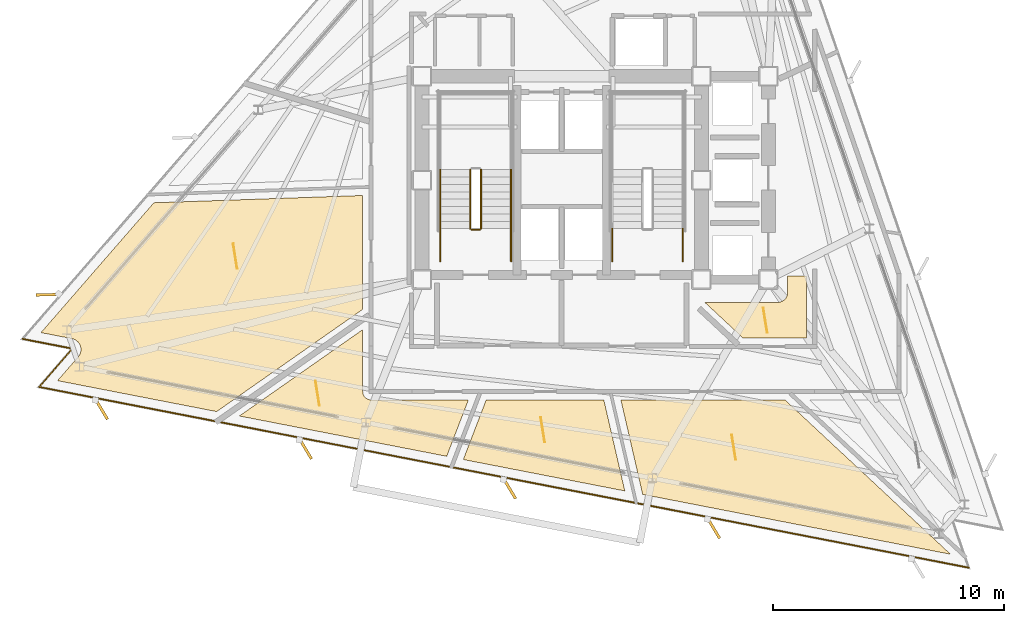
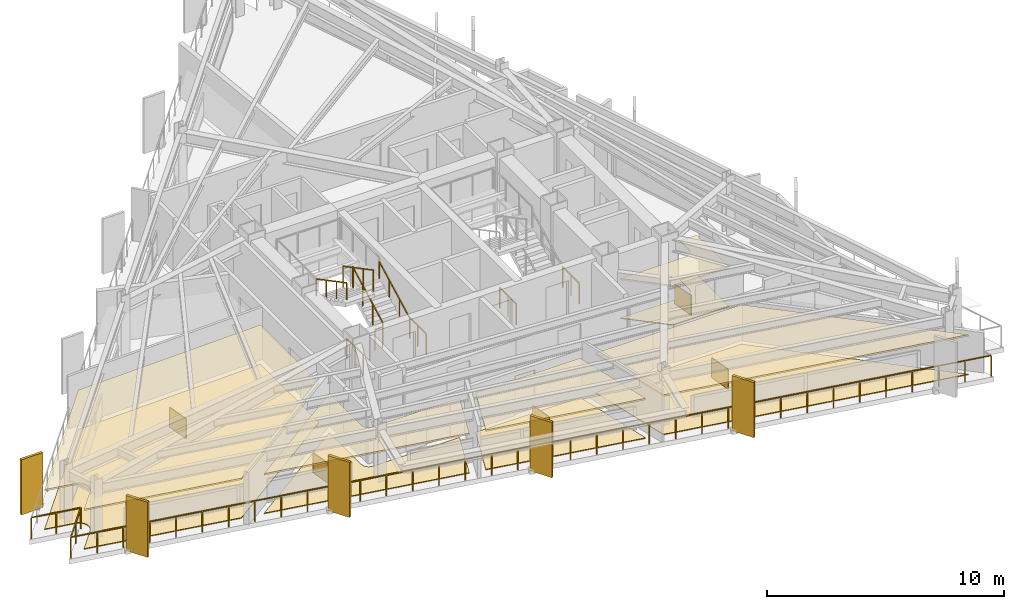
# One storey, part 12 of 14: 15 coverings, 10 railings, 5 shading devices.
"""IFC4 building model written with IfcOpenShell, lengths in metres."""

import ifcopenshell
import ifcopenshell.guid

model = None  # the IFC model being written
_history = None  # IfcOwnerHistory: only IFC2X3 demands one
_inside = {}  # id of a spatial element -> (the spatial element, [elements in it])
_under = {}  # id of a project, library or spatial element -> (it, [spatial elements below it])
_declared = {}  # id of a project -> (the project, [libraries it declares])
_typed = {}  # id of a type object -> (the type object, [elements of that type])
_made_of = {}  # id of a material, layer set ... -> (it, [elements and type objects made of it])


def new_model(schema):
    """Start an empty IFC model of exactly this schema.

    Asked for "IFC4X3", IfcOpenShell would pick the latest addendum, in which some entities
    have other attributes; the version numbers below select the first issue.
    IFC2X3 requires an IfcOwnerHistory on every rooted entity: one is made here for all.
    """
    global model, _history
    if schema == "IFC4X3":
        model = ifcopenshell.file(schema_version=(4, 3, 0, 0))
    else:
        model = ifcopenshell.file(schema=schema)
    _inside.clear()
    _under.clear()
    _declared.clear()
    _typed.clear()
    _made_of.clear()
    _history = None
    if model.schema == "IFC2X3":
        org = make("IfcOrganization", Name="unknown")
        user = make(
            "IfcPersonAndOrganization",
            ThePerson=make("IfcPerson", FamilyName="unknown"),
            TheOrganization=org,
        )
        app = make(
            "IfcApplication",
            ApplicationDeveloper=org,
            Version="unknown",
            ApplicationFullName="unknown",
            ApplicationIdentifier="unknown",
        )
        _history = make(
            "IfcOwnerHistory",
            OwningUser=user,
            OwningApplication=app,
            ChangeAction="ADDED",
            CreationDate=0,
        )
    return model


def make(cls, **values):
    """One entity of the class cls with the attributes given. An attribute that is None is left unset."""
    return model.create_entity(
        cls, **{name: value for name, value in values.items() if value is not None}
    )


def rooted(cls, **values):
    """An entity with a GlobalId (a new one), such as an element, a storey or a relation."""
    return make(cls, GlobalId=ifcopenshell.guid.new(), OwnerHistory=_history, **values)


def si_unit(unit_type, name, prefix=None):
    """IfcSIUnit, for example si_unit("LENGTHUNIT", "METRE", prefix="MILLI")."""
    return make("IfcSIUnit", UnitType=unit_type, Prefix=prefix, Name=name)


def assignment(units):
    """IfcUnitAssignment: the units of a project."""
    return None if units is None else make("IfcUnitAssignment", Units=units)


def point(xyz):
    """IfcCartesianPoint."""
    return None if xyz is None else make("IfcCartesianPoint", Coordinates=xyz)


def direction(xyz):
    """IfcDirection."""
    return None if xyz is None else make("IfcDirection", DirectionRatios=xyz)


def frame(location, z_axis=None, x_axis=None):
    """IfcAxis2Placement3D, a coordinate frame: its origin and axes. An axis left out is left unset."""
    return make(
        "IfcAxis2Placement3D",
        Location=point(location),
        Axis=direction(z_axis),
        RefDirection=direction(x_axis),
    )


def frame_2d(location, x_axis=None):
    """IfcAxis2Placement2D, a coordinate frame in the plane: its origin and x axis."""
    return make(
        "IfcAxis2Placement2D", Location=point(location), RefDirection=direction(x_axis)
    )


def origin():
    """The frame at (0, 0, 0) with its axes left unset."""
    return frame((0.0, 0.0, 0.0))


def origin_2d():
    """The frame at (0, 0) in the plane with its x axis left unset."""
    return frame_2d((0.0, 0.0))


def place(relative_to, where):
    """IfcLocalPlacement: puts the frame where relative to a parent placement (None: the world)."""
    return make(
        "IfcLocalPlacement", PlacementRelTo=relative_to, RelativePlacement=where
    )


def context(
    kind, dimensions, precision=None, world=None, true_north=None, identifier=None
):
    """IfcGeometricRepresentationContext, for example the 3D "Model" context."""
    return make(
        "IfcGeometricRepresentationContext",
        ContextIdentifier=identifier,
        ContextType=kind,
        CoordinateSpaceDimension=dimensions,
        Precision=precision,
        WorldCoordinateSystem=world,
        TrueNorth=true_north,
    )


def subcontext(parent, identifier, kind, view, scale=None):
    """IfcGeometricRepresentationSubContext, for example "Body" below "Model"."""
    return make(
        "IfcGeometricRepresentationSubContext",
        ContextIdentifier=identifier,
        ContextType=kind,
        ParentContext=parent,
        TargetScale=scale,
        TargetView=view,
    )


def project(units=None, contexts=None):
    """IfcProject with its units and contexts."""
    return rooted(
        "IfcProject",
        Name="project",
        RepresentationContexts=contexts,
        UnitsInContext=assignment(units),
    )


def spatial(cls, under=None, at=None, **own):
    """A site, building, storey or space (cls), placed at a placement, below another one or the project."""
    s = rooted(cls, ObjectPlacement=at, **own)
    if under is not None:
        _under.setdefault(under.id(), (under, []))[1].append(s)
    return s


def polyline(points):
    """IfcPolyline through the points."""
    return make("IfcPolyline", Points=[point(p) for p in points])


def profile(cls, at=None, kind="AREA", **sizes):
    """A parametric profile (cls). Its sizes go by their IFC names, for example OverallWidth=200.0."""
    return make(cls, ProfileType=kind, Position=at, **sizes)


def rectangle(**sizes):
    """IfcRectangleProfileDef."""
    return profile("IfcRectangleProfileDef", **sizes)


def outline(outer, holes=None, kind="AREA"):
    """IfcArbitraryClosedProfileDef: a profile drawn as a closed curve; with holes, ...WithVoids."""
    if holes is None:
        return make("IfcArbitraryClosedProfileDef", ProfileType=kind, OuterCurve=outer)
    return make(
        "IfcArbitraryProfileDefWithVoids",
        ProfileType=kind,
        OuterCurve=outer,
        InnerCurves=holes,
    )


def extrude(swept, where, along, depth):
    """IfcExtrudedAreaSolid: the profile swept, set in the frame where, extruded along a direction by depth."""
    return make(
        "IfcExtrudedAreaSolid",
        SweptArea=swept,
        Position=where,
        ExtrudedDirection=direction(along),
        Depth=depth,
    )


def shape(context_of_items, identifier, shape_type, items):
    """IfcShapeRepresentation: the items that make up one representation, for example the "Body"."""
    return make(
        "IfcShapeRepresentation",
        ContextOfItems=context_of_items,
        RepresentationIdentifier=identifier,
        RepresentationType=shape_type,
        Items=items,
    )


def material(Name=None, Category=None):
    """IfcMaterial."""
    return make("IfcMaterial", Name=Name, Category=Category)


def layer(
    of_material, thickness, ventilated=None, Name=None, Category=None, Priority=None
):
    """IfcMaterialLayer: one layer of a wall or slab, of a material (None: an air gap)."""
    return make(
        "IfcMaterialLayer",
        Material=of_material,
        LayerThickness=thickness,
        IsVentilated=ventilated,
        Name=Name,
        Category=Category,
        Priority=Priority,
    )


def layer_set(layers, Name=None):
    """IfcMaterialLayerSet."""
    return make("IfcMaterialLayerSet", MaterialLayers=layers, LayerSetName=Name)


def made_of(thing, what):
    """Note that an element or type object is made of a material, layer set ...; save() writes the relation."""
    if what is not None:
        _made_of.setdefault(what.id(), (what, []))[1].append(thing)
    return thing


def type_object(cls, material=None, **own):
    """A type object (cls), such as IfcWallType, which elements share."""
    return made_of(rooted(cls, **own), material)


def element(
    cls,
    number,
    at=None,
    inside=None,
    cuts=None,
    type_object=None,
    material=None,
    context=None,
    identifier="Body",
    shape_type=None,
    held_by="IfcProductDefinitionShape",
    body=None,
    shapes=None,
    **own,
):
    """One element of the class cls, such as IfcWall. Its Tag is "e" and its number.

    at: its placement. inside: the storey or other place that contains it. cuts: it is an
    opening in that element (IfcRelVoidsElement). A single representation is given by context,
    identifier, shape_type and body (its items); several are given by shapes. held_by: the class
    of the entity that holds the representations. save() writes the other relations.
    """
    e = rooted(cls, Tag="e%d" % number, ObjectPlacement=at, **own)
    if body is not None:
        shapes = [shape(context, identifier, shape_type, body)]
    if shapes is not None:
        e.Representation = make(held_by, Representations=shapes)
    if inside is not None:
        _inside.setdefault(inside.id(), (inside, []))[1].append(e)
    if cuts is not None:
        rooted(
            "IfcRelVoidsElement", RelatingBuildingElement=cuts, RelatedOpeningElement=e
        )
    if type_object is not None:
        _typed.setdefault(type_object.id(), (type_object, []))[1].append(e)
    return made_of(e, material)


def aggregate(whole, parts):
    """IfcRelAggregates: a whole, such as a stair, and the parts it consists of."""
    return rooted("IfcRelAggregates", RelatingObject=whole, RelatedObjects=parts)


def save(model, path):
    """Write the relations noted so far, then the file.

    IfcRelAggregates (storeys below a building ...), IfcRelContainedInSpatialStructure (elements
    in a storey), IfcRelDefinesByType, IfcRelAssociatesMaterial and IfcRelDeclares: one each for
    every whole, place, type object, material and project.
    """
    for whole, parts in _under.values():
        aggregate(whole, parts)
    for where, things in _inside.values():
        rooted(
            "IfcRelContainedInSpatialStructure",
            RelatedElements=things,
            RelatingStructure=where,
        )
    for kind, things in _typed.values():
        rooted("IfcRelDefinesByType", RelatedObjects=things, RelatingType=kind)
    for what, things in _made_of.values():
        rooted("IfcRelAssociatesMaterial", RelatedObjects=things, RelatingMaterial=what)
    for by, libraries in _declared.values():
        rooted("IfcRelDeclares", RelatingContext=by, RelatedDefinitions=libraries)
    model.write(path)


model = new_model("IFC4")

# Units and contexts
model_context = context("Model", 3, precision=1e-05, world=origin(), true_north=direction((0.0, 1.0)))
body_context = subcontext(model_context, "Body", "Model", "MODEL_VIEW")
ifc_project = project(units=[si_unit("LENGTHUNIT", "METRE"), si_unit("AREAUNIT", "SQUARE_METRE"), si_unit("VOLUMEUNIT", "CUBIC_METRE"), si_unit("PLANEANGLEUNIT", "RADIAN"), si_unit("MASSUNIT", "GRAM", prefix="KILO")], contexts=[model_context])

# Site, building, storey
site_placement = place(None, origin())
site = spatial("IfcSite", under=ifc_project, at=site_placement, CompositionType="ELEMENT")
building_placement = place(site_placement, origin())
building = spatial("IfcBuilding", under=site, at=building_placement, Name="Rocaltana Carrier Exchange", CompositionType="ELEMENT")
storey_placement = place(building_placement, frame((0.0, 0.0, 168.47998046875)))
storey = spatial("IfcBuildingStorey", under=building, at=storey_placement, Name="L53", CompositionType="ELEMENT", Elevation=168.47998046875)

# Coverings
ifc_material_1 = material(Name="Honed Bogota Sandstone Tile", Category="masonry")
ifc_layer_1 = layer(ifc_material_1, 0.0400390625)
ifc_layer_set_1 = layer_set([ifc_layer_1], Name="Honed Bogota Sandstone Tile")
covering_type_1 = type_object("IfcCoveringType", Name="Honed Stone Lobby Flooring 40", PredefinedType="FLOORING", material=ifc_layer_set_1)
covering_1_placement = place(storey_placement, origin())
element("IfcCovering", 1, at=covering_1_placement, inside=storey, type_object=covering_type_1, Name="L53 Sky Transfer Lounge Finish Floor", PredefinedType="FLOORING", context=body_context, shape_type="SweptSolid", body=[
    extrude(outline(polyline([(-20.927490234375, -7.6455078125), (-20.918701171875, -7.635009765625), (-20.906494140625, -7.619140625), (-20.890380859375, -7.596435546875), (-20.879638671875, -7.57958984375), (-20.86572265625, -7.555419921875), (-20.85693359375, -7.53759765625), (-20.845703125, -7.511962890625), (-20.83837890625, -7.493408203125), (-20.829833984375, -7.466796875), (-20.824462890625, -7.447509765625), (-20.818603515625, -7.42041015625), (-20.815185546875, -7.400634765625), (-20.81201171875, -7.372802734375), (-20.810546875, -7.35302734375), (-20.81005859375, -7.3251953125), (-20.810791015625, -7.30517578125), (-20.81298828125, -7.27734375), (-20.815673828125, -7.257568359375), (-20.82080078125, -7.230224609375), (-20.8251953125, -7.210693359375), (-20.8330078125, -7.183837890625), (-20.839599609375, -7.1650390625), (-20.849853515625, -7.13916015625), (-20.8583984375, -7.12109375), (-20.87109375, -7.09619140625), (-20.88134765625, -7.0791015625), (-20.896484375, -7.055908203125), (-20.908447265625, -7.039794921875), (-20.92578125, -7.01806640625), (-20.939208984375, -7.003173828125), (-20.958984375, -6.9833984375), (-20.9736328125, -6.969970703125), (-20.9951171875, -6.9521484375), (-21.010986328125, -6.940185546875), (-21.0341796875, -6.924560546875), (-21.051513671875, -6.914306640625), (-21.075927734375, -6.901123046875), (-21.093994140625, -6.892578125), (-21.119873046875, -6.882080078125), (-21.138671875, -6.875244140625), (-21.165283203125, -6.8671875), (-21.184814453125, -6.862548828125), (-21.1982421875, -6.859619140625), (-22.541748046875, -6.598388671875), (-17.655029296875, -0.976806640625), (-8.610107421875, -0.660888671875), (-8.610107421875, -5.58935546875), (-14.934814453125, -10.01806640625), (-21.82568359375, -8.6787109375), (-20.927490234375, -7.6455078125)])), origin(), (0.0, 0.0, 1.0), 0.0400390625),
])
covering_2_placement = place(storey_placement, origin())
element("IfcCovering", 2, at=covering_2_placement, inside=storey, type_object=covering_type_1, Name="L53 Carrier Peering Suite Finish Floor", PredefinedType="FLOORING", context=body_context, shape_type="SweptSolid", body=[
    extrude(outline(polyline([(-13.952392578125, -10.208984375), (-8.610107421875, -6.46826171875), (-8.610107421875, -9.14990234375), (-8.609619140625, -9.163818359375), (-8.609375, -9.171630859375), (-8.606689453125, -9.198974609375), (-8.60546875, -9.206787109375), (-8.60009765625, -9.233642578125), (-8.59814453125, -9.2412109375), (-8.590087890625, -9.267578125), (-8.58740234375, -9.27490234375), (-8.576904296875, -9.30029296875), (-8.57373046875, -9.307373046875), (-8.560791015625, -9.331787109375), (-8.556640625, -9.33837890625), (-8.54150390625, -9.361083984375), (-8.53662109375, -9.367431640625), (-8.519287109375, -9.388916015625), (-8.513916015625, -9.39453125), (-8.49462890625, -9.4140625), (-8.48876953125, -9.419189453125), (-8.467529296875, -9.436767578125), (-8.461181640625, -9.44140625), (-8.4384765625, -9.456787109375), (-8.431640625, -9.460693359375), (-8.407470703125, -9.4736328125), (-8.400390625, -9.47705078125), (-8.375, -9.487548828125), (-8.36767578125, -9.490234375), (-8.34130859375, -9.498291015625), (-8.33349609375, -9.5), (-8.306640625, -9.50537109375), (-8.298828125, -9.506591796875), (-8.271484375, -9.50927734375), (-8.263671875, -9.509765625), (-8.25, -9.510009765625), (-4.0361328125, -9.510009765625), (-4.974365234375, -11.9541015625), (-13.952392578125, -10.208984375)])), origin(), (0.0, 0.0, 1.0), 0.0400390625),
])
covering_3_placement = place(storey_placement, origin())
element("IfcCovering", 3, at=covering_3_placement, inside=storey, type_object=covering_type_1, Name="L53 Cloud Architecture Office Finish Floor", PredefinedType="FLOORING", context=body_context, shape_type="SweptSolid", body=[
    extrude(outline(polyline([(-4.256591796875, -12.093505859375), (-3.264892578125, -9.510009765625), (1.826171875, -9.510009765625), (2.736328125, -13.452880859375), (-4.256591796875, -12.093505859375)])), origin(), (0.0, 0.0, 1.0), 0.0400390625),
])
covering_4_placement = place(storey_placement, origin())
element("IfcCovering", 4, at=covering_4_placement, inside=storey, type_object=covering_type_1, Name="L53 Optical Switching Laboratory Finish Floor", PredefinedType="FLOORING", context=body_context, shape_type="SweptSolid", body=[
    extrude(outline(polyline([(16.837890625, -16.194091796875), (3.510009765625, -13.603271484375), (2.56494140625, -9.510009765625), (9.67041015625, -9.510009765625), (16.837890625, -16.194091796875)])), origin(), (0.0, 0.0, 1.0), 0.0400390625),
])
covering_5_placement = place(storey_placement, origin())
element("IfcCovering", 5, at=covering_5_placement, inside=storey, type_object=covering_type_1, Name="L53 Peering Conference Room Finish Floor", PredefinedType="FLOORING", context=body_context, shape_type="SweptSolid", body=[
    extrude(outline(polyline([(6.20068359375, -5.2900390625), (9.35009765625, -5.2900390625), (9.36376953125, -5.289794921875), (9.37939453125, -5.288818359375), (9.40673828125, -5.2861328125), (9.42236328125, -5.283935546875), (9.44921875, -5.278564453125), (9.464599609375, -5.274658203125), (9.49072265625, -5.2666015625), (9.505615234375, -5.261474609375), (9.531005859375, -5.2509765625), (9.545166015625, -5.244140625), (9.5693359375, -5.231201171875), (9.582763671875, -5.22314453125), (9.605712890625, -5.2080078125), (9.618408203125, -5.198486328125), (9.639404296875, -5.18115234375), (9.651123046875, -5.170654296875), (9.670654296875, -5.151123046875), (9.68115234375, -5.139404296875), (9.698486328125, -5.118408203125), (9.7080078125, -5.105712890625), (9.72314453125, -5.082763671875), (9.731201171875, -5.0693359375), (9.744140625, -5.045166015625), (9.7509765625, -5.031005859375), (9.761474609375, -5.005615234375), (9.7666015625, -4.99072265625), (9.774658203125, -4.964599609375), (9.778564453125, -4.94921875), (9.783935546875, -4.92236328125), (9.7861328125, -4.90673828125), (9.788818359375, -4.87939453125), (9.789794921875, -4.86376953125), (9.7900390625, -4.85009765625), (9.7900390625, -4.139892578125), (10.60009765625, -4.139892578125), (10.60009765625, -6.840087890625), (7.86279296875, -6.840087890625), (6.20068359375, -5.2900390625)])), origin(), (0.0, 0.0, 1.0), 0.0400390625),
])
ifc_material_2 = material(Name="Anodised Aluminium 6063-T6", Category="aluminium")
ifc_layer_2 = layer(ifc_material_2, 0.0849609375)
ifc_layer_set_2 = layer_set([ifc_layer_2], Name="Anodised Aluminium 6063-T6")
covering_type_2 = type_object("IfcCoveringType", Name="Linear Baffle Acoustic Ceiling 85", PredefinedType="CEILING", material=ifc_layer_set_2)
covering_6_placement = place(storey_placement, frame((0.0, 0.0, 1.98291015625)))
element("IfcCovering", 6, at=covering_6_placement, inside=storey, type_object=covering_type_2, Name="L53 Sky Transfer Lounge Acoustic Ceiling", PredefinedType="CEILING", context=body_context, shape_type="SweptSolid", body=[
    extrude(outline(polyline([(-20.927490234375, -7.6455078125), (-20.918701171875, -7.635009765625), (-20.906494140625, -7.619140625), (-20.890380859375, -7.596435546875), (-20.879638671875, -7.57958984375), (-20.86572265625, -7.555419921875), (-20.85693359375, -7.53759765625), (-20.845703125, -7.511962890625), (-20.83837890625, -7.493408203125), (-20.829833984375, -7.466796875), (-20.824462890625, -7.447509765625), (-20.818603515625, -7.42041015625), (-20.815185546875, -7.400634765625), (-20.81201171875, -7.372802734375), (-20.810546875, -7.35302734375), (-20.81005859375, -7.3251953125), (-20.810791015625, -7.30517578125), (-20.81298828125, -7.27734375), (-20.815673828125, -7.257568359375), (-20.82080078125, -7.230224609375), (-20.8251953125, -7.210693359375), (-20.8330078125, -7.183837890625), (-20.839599609375, -7.1650390625), (-20.849853515625, -7.13916015625), (-20.8583984375, -7.12109375), (-20.87109375, -7.09619140625), (-20.88134765625, -7.0791015625), (-20.896484375, -7.055908203125), (-20.908447265625, -7.039794921875), (-20.92578125, -7.01806640625), (-20.939208984375, -7.003173828125), (-20.958984375, -6.9833984375), (-20.9736328125, -6.969970703125), (-20.9951171875, -6.9521484375), (-21.010986328125, -6.940185546875), (-21.0341796875, -6.924560546875), (-21.051513671875, -6.914306640625), (-21.075927734375, -6.901123046875), (-21.093994140625, -6.892578125), (-21.119873046875, -6.882080078125), (-21.138671875, -6.875244140625), (-21.165283203125, -6.8671875), (-21.184814453125, -6.862548828125), (-21.1982421875, -6.859619140625), (-22.541748046875, -6.598388671875), (-17.655029296875, -0.976806640625), (-8.610107421875, -0.660888671875), (-8.610107421875, -5.58935546875), (-14.934814453125, -10.01806640625), (-21.82568359375, -8.6787109375), (-20.927490234375, -7.6455078125)])), origin(), (0.0, 0.0, 1.0), 0.085205078125),
])
covering_7_placement = place(storey_placement, frame((0.0, 0.0, 1.98291015625)))
element("IfcCovering", 7, at=covering_7_placement, inside=storey, type_object=covering_type_2, Name="L53 Carrier Peering Suite Acoustic Ceiling", PredefinedType="CEILING", context=body_context, shape_type="SweptSolid", body=[
    extrude(outline(polyline([(-13.952392578125, -10.208984375), (-8.610107421875, -6.46826171875), (-8.610107421875, -9.14990234375), (-8.609619140625, -9.163818359375), (-8.609375, -9.171630859375), (-8.606689453125, -9.198974609375), (-8.60546875, -9.206787109375), (-8.60009765625, -9.233642578125), (-8.59814453125, -9.2412109375), (-8.590087890625, -9.267578125), (-8.58740234375, -9.27490234375), (-8.576904296875, -9.30029296875), (-8.57373046875, -9.307373046875), (-8.560791015625, -9.331787109375), (-8.556640625, -9.33837890625), (-8.54150390625, -9.361083984375), (-8.53662109375, -9.367431640625), (-8.519287109375, -9.388916015625), (-8.513916015625, -9.39453125), (-8.49462890625, -9.4140625), (-8.48876953125, -9.419189453125), (-8.467529296875, -9.436767578125), (-8.461181640625, -9.44140625), (-8.4384765625, -9.456787109375), (-8.431640625, -9.460693359375), (-8.407470703125, -9.4736328125), (-8.400390625, -9.47705078125), (-8.375, -9.487548828125), (-8.36767578125, -9.490234375), (-8.34130859375, -9.498291015625), (-8.33349609375, -9.5), (-8.306640625, -9.50537109375), (-8.298828125, -9.506591796875), (-8.271484375, -9.50927734375), (-8.263671875, -9.509765625), (-8.25, -9.510009765625), (-4.0361328125, -9.510009765625), (-4.974365234375, -11.9541015625), (-13.952392578125, -10.208984375)])), origin(), (0.0, 0.0, 1.0), 0.085205078125),
])
covering_8_placement = place(storey_placement, frame((0.0, 0.0, 1.98291015625)))
element("IfcCovering", 8, at=covering_8_placement, inside=storey, type_object=covering_type_2, Name="L53 Cloud Architecture Office Acoustic Ceiling", PredefinedType="CEILING", context=body_context, shape_type="SweptSolid", body=[
    extrude(outline(polyline([(-4.256591796875, -12.093505859375), (-3.264892578125, -9.510009765625), (1.826171875, -9.510009765625), (2.736328125, -13.452880859375), (-4.256591796875, -12.093505859375)])), origin(), (0.0, 0.0, 1.0), 0.085205078125),
])
covering_9_placement = place(storey_placement, frame((0.0, 0.0, 1.98291015625)))
element("IfcCovering", 9, at=covering_9_placement, inside=storey, type_object=covering_type_2, Name="L53 Optical Switching Laboratory Acoustic Ceiling", PredefinedType="CEILING", context=body_context, shape_type="SweptSolid", body=[
    extrude(outline(polyline([(16.837890625, -16.194091796875), (3.510009765625, -13.603271484375), (2.56494140625, -9.510009765625), (9.67041015625, -9.510009765625), (16.837890625, -16.194091796875)])), origin(), (0.0, 0.0, 1.0), 0.085205078125),
])
covering_10_placement = place(storey_placement, frame((0.0, 0.0, 1.98291015625)))
element("IfcCovering", 10, at=covering_10_placement, inside=storey, type_object=covering_type_2, Name="L53 Peering Conference Room Acoustic Ceiling", PredefinedType="CEILING", context=body_context, shape_type="SweptSolid", body=[
    extrude(outline(polyline([(6.20068359375, -5.2900390625), (9.35009765625, -5.2900390625), (9.36376953125, -5.289794921875), (9.37939453125, -5.288818359375), (9.40673828125, -5.2861328125), (9.42236328125, -5.283935546875), (9.44921875, -5.278564453125), (9.464599609375, -5.274658203125), (9.49072265625, -5.2666015625), (9.505615234375, -5.261474609375), (9.531005859375, -5.2509765625), (9.545166015625, -5.244140625), (9.5693359375, -5.231201171875), (9.582763671875, -5.22314453125), (9.605712890625, -5.2080078125), (9.618408203125, -5.198486328125), (9.639404296875, -5.18115234375), (9.651123046875, -5.170654296875), (9.670654296875, -5.151123046875), (9.68115234375, -5.139404296875), (9.698486328125, -5.118408203125), (9.7080078125, -5.105712890625), (9.72314453125, -5.082763671875), (9.731201171875, -5.0693359375), (9.744140625, -5.045166015625), (9.7509765625, -5.031005859375), (9.761474609375, -5.005615234375), (9.7666015625, -4.99072265625), (9.774658203125, -4.964599609375), (9.778564453125, -4.94921875), (9.783935546875, -4.92236328125), (9.7861328125, -4.90673828125), (9.788818359375, -4.87939453125), (9.789794921875, -4.86376953125), (9.7900390625, -4.85009765625), (9.7900390625, -4.139892578125), (10.60009765625, -4.139892578125), (10.60009765625, -6.840087890625), (7.86279296875, -6.840087890625), (6.20068359375, -5.2900390625)])), origin(), (0.0, 0.0, 1.0), 0.085205078125),
])

# Railings
ifc_material_3 = material(Name="Brushed Architectural Stainless Tube", Category="steel")
ifc_layer_3 = layer(ifc_material_3, 0.048095703125)
ifc_layer_set_3 = layer_set([ifc_layer_3], Name="Brushed Architectural Stainless Tube")
railing_type_1 = type_object("IfcRailingType", Name="Stair Wall Handrail 920", PredefinedType="HANDRAIL", material=ifc_layer_set_3)
railing_1_placement = place(storey_placement, frame((-2.18994140625, -2.10009765625, 0.1689453125)))
element("IfcRailing", 11, at=railing_1_placement, inside=storey, type_object=railing_type_1, Name="L53 ST-1 stair handrail 1", PredefinedType="HANDRAIL", context=body_context, shape_type="SweptSolid", body=[
    extrude(rectangle(XDim=0.048095703125, YDim=0.048095703125, at=origin_2d()), frame((0.0, 0.0, 0.8759765625), z_axis=(0.0, 0.884394423565, 0.466740295633), x_axis=(-1.0, 0.0, 0.0)), (0.0, 0.0, 1.0), 2.894775390625),
    extrude(rectangle(XDim=0.0419921875, YDim=0.0419921875, at=origin_2d()), origin(), (0.0, 0.0, 1.0), 0.851806640625),
    extrude(rectangle(XDim=0.0419921875, YDim=0.0419921875, at=origin_2d()), frame((0.0, 0.853271484375, 0.450439453125)), (0.0, 0.0, 1.0), 0.851806640625),
    extrude(rectangle(XDim=0.0419921875, YDim=0.0419921875, at=origin_2d()), frame((0.0, 1.706787109375, 0.900634765625)), (0.0, 0.0, 1.0), 0.851806640625),
    extrude(rectangle(XDim=0.0419921875, YDim=0.0419921875, at=origin_2d()), frame((0.0, 2.56005859375, 1.35107421875)), (0.0, 0.0, 1.0), 0.851806640625),
])
railing_2_placement = place(storey_placement, frame((-5.25, 0.4599609375, 1.68896484375)))
element("IfcRailing", 12, at=railing_2_placement, inside=storey, type_object=railing_type_1, Name="L53 ST-1 stair handrail 2", PredefinedType="HANDRAIL", context=body_context, shape_type="SweptSolid", body=[
    extrude(rectangle(XDim=0.048095703125, YDim=0.048095703125, at=origin_2d()), frame((0.0, 0.0, 0.8759765625), z_axis=(0.0, -0.884394423565, 0.466740295633), x_axis=(1.0, 0.0, 0.0)), (0.0, 0.0, 1.0), 2.894775390625),
    extrude(rectangle(XDim=0.0419921875, YDim=0.0419921875, at=origin_2d()), origin(), (0.0, 0.0, 1.0), 0.851806640625),
    extrude(rectangle(XDim=0.0419921875, YDim=0.0419921875, at=origin_2d()), frame((0.0, -0.853271484375, 0.450439453125)), (0.0, 0.0, 1.0), 0.851806640625),
    extrude(rectangle(XDim=0.0419921875, YDim=0.0419921875, at=origin_2d()), frame((0.0, -1.706787109375, 0.900634765625)), (0.0, 0.0, 1.0), 0.851806640625),
    extrude(rectangle(XDim=0.0419921875, YDim=0.0419921875, at=origin_2d()), frame((0.0, -2.56005859375, 1.35107421875)), (0.0, 0.0, 1.0), 0.851806640625),
])
ifc_material_4 = material(Name="Powder-Coated Aluminium 6063-T6", Category="aluminium")
ifc_layer_4 = layer(ifc_material_4, 0.048095703125)
ifc_layer_set_4 = layer_set([ifc_layer_4], Name="Powder-Coated Aluminium 6063-T6")
railing_type_2 = type_object("IfcRailingType", Name="Stair Well Guardrail 1100", PredefinedType="GUARDRAIL", material=ifc_layer_set_4)
railing_3_placement = place(storey_placement, frame((-3.489990234375, -2.10009765625, 0.1689453125)))
element("IfcRailing", 13, at=railing_3_placement, inside=storey, type_object=railing_type_2, Name="L53 ST-1 stair guard 1", PredefinedType="GUARDRAIL", context=body_context, shape_type="SweptSolid", body=[
    extrude(rectangle(XDim=0.048095703125, YDim=0.048095703125, at=origin_2d()), frame((0.0, 0.0, 1.076171875), z_axis=(0.0, 0.884394423565, 0.466740295633), x_axis=(-1.0, 0.0, 0.0)), (0.0, 0.0, 1.0), 2.894775390625),
    extrude(rectangle(XDim=0.0419921875, YDim=0.0419921875, at=origin_2d()), origin(), (0.0, 0.0, 1.0), 1.052001953125),
    extrude(rectangle(XDim=0.0419921875, YDim=0.0419921875, at=origin_2d()), frame((0.0, 0.853271484375, 0.450439453125)), (0.0, 0.0, 1.0), 1.052001953125),
    extrude(rectangle(XDim=0.0419921875, YDim=0.0419921875, at=origin_2d()), frame((0.0, 1.706787109375, 0.900634765625)), (0.0, 0.0, 1.0), 1.052001953125),
    extrude(rectangle(XDim=0.0419921875, YDim=0.0419921875, at=origin_2d()), frame((0.0, 2.56005859375, 1.35107421875)), (0.0, 0.0, 1.0), 1.052001953125),
])
railing_4_placement = place(storey_placement, frame((-3.949951171875, 0.4599609375, 1.68896484375)))
element("IfcRailing", 14, at=railing_4_placement, inside=storey, type_object=railing_type_2, Name="L53 ST-1 stair guard 6", PredefinedType="GUARDRAIL", context=body_context, shape_type="SweptSolid", body=[
    extrude(rectangle(XDim=0.048095703125, YDim=0.048095703125, at=origin_2d()), frame((0.0, 0.0, 1.076171875), z_axis=(0.0, -0.884394423565, 0.466740295633), x_axis=(1.0, 0.0, 0.0)), (0.0, 0.0, 1.0), 2.894775390625),
    extrude(rectangle(XDim=0.0419921875, YDim=0.0419921875, at=origin_2d()), origin(), (0.0, 0.0, 1.0), 1.052001953125),
    extrude(rectangle(XDim=0.0419921875, YDim=0.0419921875, at=origin_2d()), frame((0.0, -0.853271484375, 0.450439453125)), (0.0, 0.0, 1.0), 1.052001953125),
    extrude(rectangle(XDim=0.0419921875, YDim=0.0419921875, at=origin_2d()), frame((0.0, -1.706787109375, 0.900634765625)), (0.0, 0.0, 1.0), 1.052001953125),
    extrude(rectangle(XDim=0.0419921875, YDim=0.0419921875, at=origin_2d()), frame((0.0, -2.56005859375, 1.35107421875)), (0.0, 0.0, 1.0), 1.052001953125),
])
railing_5_placement = place(storey_placement, frame((-3.5400390625, -2.14990234375, 0.0)))
element("IfcRailing", 15, at=railing_5_placement, inside=storey, type_object=railing_type_2, Name="L53 ST-1 stair guard 7", PredefinedType="GUARDRAIL", context=body_context, shape_type="SweptSolid", body=[
    extrude(rectangle(XDim=0.048095703125, YDim=0.048095703125, at=origin_2d()), frame((0.0, 0.0, 1.076171875), z_axis=(-1.0, 0.0, 0.0), x_axis=(0.0, -1.0, 0.0)), (0.0, 0.0, 1.0), 0.35986328125),
    extrude(rectangle(XDim=0.0419921875, YDim=0.0419921875, at=origin_2d()), origin(), (0.0, 0.0, 1.0), 1.052001953125),
    extrude(rectangle(XDim=0.0419921875, YDim=0.0419921875, at=origin_2d()), frame((-0.35986328125, 0.0, 0.0)), (0.0, 0.0, 1.0), 1.052001953125),
])
for number, where, name in (
    (16, (-2.18994140625, -3.5, 0.0), "L53 ST-1 stair guard 8"),
    (17, (-5.25, -3.5, 0.0), "L53 ST-1 stair guard 9"),
    (18, (5.25, -3.5, 0.0), "L53 ST-2 stair guard 8"),
    (19, (2.18994140625, -3.5, 0.0), "L53 ST-2 stair guard 9"),
):
    element("IfcRailing", number, at=place(storey_placement, frame(where)), inside=storey, type_object=railing_type_2, Name=name, PredefinedType="GUARDRAIL", context=body_context, shape_type="SweptSolid", body=[
        extrude(rectangle(XDim=0.048095703125, YDim=0.048095703125, at=origin_2d()), frame((0.0, 0.0, 1.076171875), z_axis=(0.0, 1.0, 0.0), x_axis=(-1.0, 0.0, 0.0)), (0.0, 0.0, 1.0), 1.39990234375),
        extrude(rectangle(XDim=0.0419921875, YDim=0.0419921875, at=origin_2d()), origin(), (0.0, 0.0, 1.0), 1.052001953125),
        extrude(rectangle(XDim=0.0419921875, YDim=0.0419921875, at=origin_2d()), frame((0.0, 0.699951171875, 0.0)), (0.0, 0.0, 1.0), 1.052001953125),
        extrude(rectangle(XDim=0.0419921875, YDim=0.0419921875, at=origin_2d()), frame((0.0, 1.39990234375, 0.0)), (0.0, 0.0, 1.0), 1.052001953125),
    ])

# Coverings
ifc_material_5 = material(Name="Honed Piedra Muneca Sandstone", Category="masonry")
ifc_layer_5 = layer(ifc_material_5, 0.034912109375)
ifc_layer_set_5 = layer_set([ifc_layer_5], Name="Honed Piedra Muneca Sandstone")
covering_type_3 = type_object("IfcCoveringType", Name="Stone Facade Cladding 35", PredefinedType="CLADDING", material=ifc_layer_set_5)
for number, where, z_axis, x_axis, name in (
    (20, (-14.135009765625, -3.282958984375, 0.0), (0.0, 0.0, 1.0), (-0.15643446504, 0.987688340595, 0.0), "L53 Stone Facade Cladding Panel 1"),
    (21, (-10.5712890625, -9.22021484375, 0.0), (0.0, 0.0, 1.0), (-0.15643446504, 0.987688340595, 0.0), "L53 Stone Facade Cladding Panel 2"),
    (22, (-0.818115234375, -10.8017578125, 0.0), (0.0, 0.0, 1.0), (-0.15643446504, 0.987688340595, 0.0), "L53 Stone Facade Cladding Panel 3"),
    (23, (7.451416015625, -11.556640625, 0.0), (0.0, 0.0, 1.0), (-0.15643446504, 0.987688340595, 0.0), "L53 Stone Facade Cladding Panel 4"),
    (24, (8.81591796875, -6.06494140625, 0.0), (0.0, 0.0, 1.0), (-0.15643446504, 0.987688340595, 0.0), "L53 Stone Facade Cladding Panel 6"),
):
    element("IfcCovering", number, at=place(storey_placement, frame(where, z_axis=z_axis, x_axis=x_axis)), inside=storey, type_object=covering_type_3, Name=name, PredefinedType="CLADDING", context=body_context, shape_type="SweptSolid", body=[
        extrude(rectangle(XDim=1.10009765625, YDim=0.034912109375, at=origin_2d()), origin(), (0.0, 0.0, 1.0), 1.050048828125),
    ])

# Shading devices
ifc_material_6 = material(Name="Honed Bogota Sandstone & Concrete C45/55", Category="masonry")
ifc_layer_6 = layer(ifc_material_6, 0.1201171875)
ifc_layer_set_6 = layer_set([ifc_layer_6], Name="Honed Bogota Sandstone & Concrete C45/55")
shading_device_type = type_object("IfcShadingDeviceType", Name="Upper Sandstone Shading Fin 1050x120", PredefinedType="USERDEFINED", material=ifc_layer_set_6)
for number, where, z_axis, x_axis, name in (
    (25, (-22.228759765625, -4.95703125, -0.119873046875), (0.0, 0.0, 1.0), (-0.999847695156, -0.017452406437, 0.0), "L53 Sandstone Vertical Fin F2-05"),
    (26, (-19.93115234375, -9.90283203125, -0.119873046875), (0.0, 0.0, 1.0), (0.51503807491, -0.857167300702, 0.0), "L53 Sandstone Vertical Fin F3-01"),
    (27, (-11.0966796875, -11.6201171875, -0.119873046875), (0.0, 0.0, 1.0), (0.51503807491, -0.857167300702, 0.0), "L53 Sandstone Vertical Fin F3-02"),
    (28, (-2.261962890625, -13.33740234375, -0.119873046875), (0.0, 0.0, 1.0), (0.51503807491, -0.857167300702, 0.0), "L53 Sandstone Vertical Fin F3-03"),
    (29, (6.57275390625, -15.0546875, -0.119873046875), (0.0, 0.0, 1.0), (0.51503807491, -0.857167300702, 0.0), "L53 Sandstone Vertical Fin F3-04"),
):
    element("IfcShadingDevice", number, at=place(storey_placement, frame(where, z_axis=z_axis, x_axis=x_axis)), inside=storey, type_object=shading_device_type, Name=name, ObjectType="FIN", PredefinedType="USERDEFINED", context=body_context, shape_type="SweptSolid", body=[
        extrude(rectangle(XDim=1.050048828125, YDim=0.1201171875, at=origin_2d()), origin(), (0.0, 0.0, 1.0), 2.837890625),
    ])

# Railing
ifc_material_7 = material(Name="Powder-Coated Aluminium 6063-T6", Category="aluminium")
ifc_layer_7 = layer(ifc_material_7, 0.06005859375)
ifc_layer_set_7 = layer_set([ifc_layer_7], Name="Powder-Coated Aluminium 6063-T6")
railing_type_3 = type_object("IfcRailingType", Name="Wind-Floor & Terrace Perimeter Guardrail 1100", PredefinedType="GUARDRAIL", material=ifc_layer_set_7)
railing_6_placement = place(storey_placement, frame((17.619140625, -16.773681640625, 0.0)))
element("IfcRailing", 30, at=railing_6_placement, inside=storey, type_object=railing_type_3, Name="L53 Perimeter Balcony Guardrail 1", PredefinedType="GUARDRAIL", context=body_context, shape_type="SweptSolid", body=[
    extrude(rectangle(XDim=0.048095703125, YDim=0.048095703125, at=origin_2d()), frame((0.0, 0.0, 1.076171875), z_axis=(-0.981626701724, 0.190811473615, 0.0), x_axis=(-0.190811473615, -0.981626701724, 0.0)), (0.0, 0.0, 1.0), 40.9921875),
    extrude(rectangle(XDim=0.048095703125, YDim=0.048095703125, at=origin_2d()), frame((-40.239013671875, 7.82177734375, 1.076171875), z_axis=(0.656057821484, 0.75471062989, 0.0), x_axis=(-0.75471062989, 0.656057821484, 0.0)), (0.0, 0.0, 1.0), 2.199951171875),
    extrude(rectangle(XDim=0.048095703125, YDim=0.048095703125, at=origin_2d()), frame((-38.795654296875, 9.482177734375, 1.076171875), z_axis=(-0.98163329095, 0.190777572317, 0.0), x_axis=(-0.190777572317, -0.98163329095, 0.0)), (0.0, 0.0, 1.0), 2.19970703125),
    extrude(rectangle(XDim=0.0419921875, YDim=0.0419921875, at=origin_2d()), origin(), (0.0, 0.0, 1.0), 1.052001953125),
    extrude(rectangle(XDim=0.0419921875, YDim=0.0419921875, at=origin_2d()), frame((-1.149658203125, 0.223388671875, 0.0)), (0.0, 0.0, 1.0), 1.052001953125),
    extrude(rectangle(XDim=0.0419921875, YDim=0.0419921875, at=origin_2d()), frame((-2.29931640625, 0.447021484375, 0.0)), (0.0, 0.0, 1.0), 1.052001953125),
    extrude(rectangle(XDim=0.0419921875, YDim=0.0419921875, at=origin_2d()), frame((-3.448974609375, 0.67041015625, 0.0)), (0.0, 0.0, 1.0), 1.052001953125),
    extrude(rectangle(XDim=0.0419921875, YDim=0.0419921875, at=origin_2d()), frame((-4.5986328125, 0.893798828125, 0.0)), (0.0, 0.0, 1.0), 1.052001953125),
    extrude(rectangle(XDim=0.0419921875, YDim=0.0419921875, at=origin_2d()), frame((-5.74853515625, 1.117431640625, 0.0)), (0.0, 0.0, 1.0), 1.052001953125),
    extrude(rectangle(XDim=0.0419921875, YDim=0.0419921875, at=origin_2d()), frame((-6.898193359375, 1.3408203125, 0.0)), (0.0, 0.0, 1.0), 1.052001953125),
    extrude(rectangle(XDim=0.0419921875, YDim=0.0419921875, at=origin_2d()), frame((-8.0478515625, 1.564453125, 0.0)), (0.0, 0.0, 1.0), 1.052001953125),
    extrude(rectangle(XDim=0.0419921875, YDim=0.0419921875, at=origin_2d()), frame((-9.197509765625, 1.787841796875, 0.0)), (0.0, 0.0, 1.0), 1.052001953125),
    extrude(rectangle(XDim=0.0419921875, YDim=0.0419921875, at=origin_2d()), frame((-10.34716796875, 2.01123046875, 0.0)), (0.0, 0.0, 1.0), 1.052001953125),
    extrude(rectangle(XDim=0.0419921875, YDim=0.0419921875, at=origin_2d()), frame((-11.496826171875, 2.23486328125, 0.0)), (0.0, 0.0, 1.0), 1.052001953125),
    extrude(rectangle(XDim=0.0419921875, YDim=0.0419921875, at=origin_2d()), frame((-12.646484375, 2.458251953125, 0.0)), (0.0, 0.0, 1.0), 1.052001953125),
    extrude(rectangle(XDim=0.0419921875, YDim=0.0419921875, at=origin_2d()), frame((-13.796142578125, 2.681640625, 0.0)), (0.0, 0.0, 1.0), 1.052001953125),
    extrude(rectangle(XDim=0.0419921875, YDim=0.0419921875, at=origin_2d()), frame((-14.94580078125, 2.9052734375, 0.0)), (0.0, 0.0, 1.0), 1.052001953125),
    extrude(rectangle(XDim=0.0419921875, YDim=0.0419921875, at=origin_2d()), frame((-16.095703125, 3.128662109375, 0.0)), (0.0, 0.0, 1.0), 1.052001953125),
    extrude(rectangle(XDim=0.0419921875, YDim=0.0419921875, at=origin_2d()), frame((-17.245361328125, 3.352294921875, 0.0)), (0.0, 0.0, 1.0), 1.052001953125),
    extrude(rectangle(XDim=0.0419921875, YDim=0.0419921875, at=origin_2d()), frame((-18.39501953125, 3.57568359375, 0.0)), (0.0, 0.0, 1.0), 1.052001953125),
    extrude(rectangle(XDim=0.0419921875, YDim=0.0419921875, at=origin_2d()), frame((-19.544677734375, 3.799072265625, 0.0)), (0.0, 0.0, 1.0), 1.052001953125),
    extrude(rectangle(XDim=0.0419921875, YDim=0.0419921875, at=origin_2d()), frame((-20.6943359375, 4.022705078125, 0.0)), (0.0, 0.0, 1.0), 1.052001953125),
    extrude(rectangle(XDim=0.0419921875, YDim=0.0419921875, at=origin_2d()), frame((-21.843994140625, 4.24609375, 0.0)), (0.0, 0.0, 1.0), 1.052001953125),
    extrude(rectangle(XDim=0.0419921875, YDim=0.0419921875, at=origin_2d()), frame((-22.99365234375, 4.469482421875, 0.0)), (0.0, 0.0, 1.0), 1.052001953125),
    extrude(rectangle(XDim=0.0419921875, YDim=0.0419921875, at=origin_2d()), frame((-24.143310546875, 4.693115234375, 0.0)), (0.0, 0.0, 1.0), 1.052001953125),
    extrude(rectangle(XDim=0.0419921875, YDim=0.0419921875, at=origin_2d()), frame((-25.293212890625, 4.91650390625, 0.0)), (0.0, 0.0, 1.0), 1.052001953125),
    extrude(rectangle(XDim=0.0419921875, YDim=0.0419921875, at=origin_2d()), frame((-26.44287109375, 5.14013671875, 0.0)), (0.0, 0.0, 1.0), 1.052001953125),
    extrude(rectangle(XDim=0.0419921875, YDim=0.0419921875, at=origin_2d()), frame((-27.592529296875, 5.363525390625, 0.0)), (0.0, 0.0, 1.0), 1.052001953125),
    extrude(rectangle(XDim=0.0419921875, YDim=0.0419921875, at=origin_2d()), frame((-28.7421875, 5.5869140625, 0.0)), (0.0, 0.0, 1.0), 1.052001953125),
    extrude(rectangle(XDim=0.0419921875, YDim=0.0419921875, at=origin_2d()), frame((-29.891845703125, 5.810546875, 0.0)), (0.0, 0.0, 1.0), 1.052001953125),
    extrude(rectangle(XDim=0.0419921875, YDim=0.0419921875, at=origin_2d()), frame((-31.04150390625, 6.033935546875, 0.0)), (0.0, 0.0, 1.0), 1.052001953125),
    extrude(rectangle(XDim=0.0419921875, YDim=0.0419921875, at=origin_2d()), frame((-32.191162109375, 6.25732421875, 0.0)), (0.0, 0.0, 1.0), 1.052001953125),
    extrude(rectangle(XDim=0.0419921875, YDim=0.0419921875, at=origin_2d()), frame((-33.3408203125, 6.48095703125, 0.0)), (0.0, 0.0, 1.0), 1.052001953125),
    extrude(rectangle(XDim=0.0419921875, YDim=0.0419921875, at=origin_2d()), frame((-34.490478515625, 6.704345703125, 0.0)), (0.0, 0.0, 1.0), 1.052001953125),
    extrude(rectangle(XDim=0.0419921875, YDim=0.0419921875, at=origin_2d()), frame((-35.640380859375, 6.927978515625, 0.0)), (0.0, 0.0, 1.0), 1.052001953125),
    extrude(rectangle(XDim=0.0419921875, YDim=0.0419921875, at=origin_2d()), frame((-36.7900390625, 7.1513671875, 0.0)), (0.0, 0.0, 1.0), 1.052001953125),
    extrude(rectangle(XDim=0.0419921875, YDim=0.0419921875, at=origin_2d()), frame((-37.939697265625, 7.374755859375, 0.0)), (0.0, 0.0, 1.0), 1.052001953125),
    extrude(rectangle(XDim=0.0419921875, YDim=0.0419921875, at=origin_2d()), frame((-39.08935546875, 7.598388671875, 0.0)), (0.0, 0.0, 1.0), 1.052001953125),
    extrude(rectangle(XDim=0.0419921875, YDim=0.0419921875, at=origin_2d()), frame((-40.239013671875, 7.82177734375, 0.0)), (0.0, 0.0, 1.0), 1.052001953125),
    extrude(rectangle(XDim=0.0419921875, YDim=0.0419921875, at=origin_2d()), frame((-39.517333984375, 8.65185546875, 0.0)), (0.0, 0.0, 1.0), 1.052001953125),
    extrude(rectangle(XDim=0.0419921875, YDim=0.0419921875, at=origin_2d()), frame((-38.795654296875, 9.482177734375, 0.0)), (0.0, 0.0, 1.0), 1.052001953125),
    extrude(rectangle(XDim=0.0419921875, YDim=0.0419921875, at=origin_2d()), frame((-39.87548828125, 9.69189453125, 0.0)), (0.0, 0.0, 1.0), 1.052001953125),
    extrude(rectangle(XDim=0.0419921875, YDim=0.0419921875, at=origin_2d()), frame((-40.955078125, 9.90185546875, 0.0)), (0.0, 0.0, 1.0), 1.052001953125),
])

save(model, "model.ifc")
